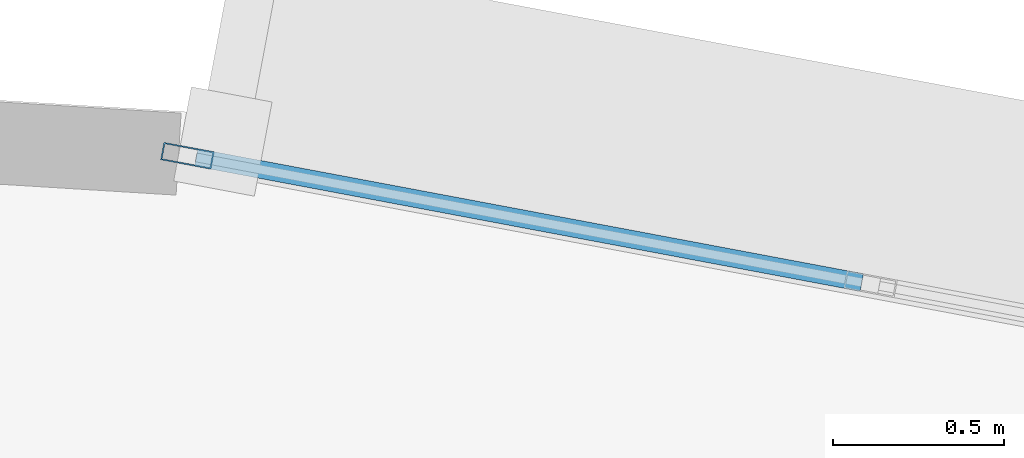
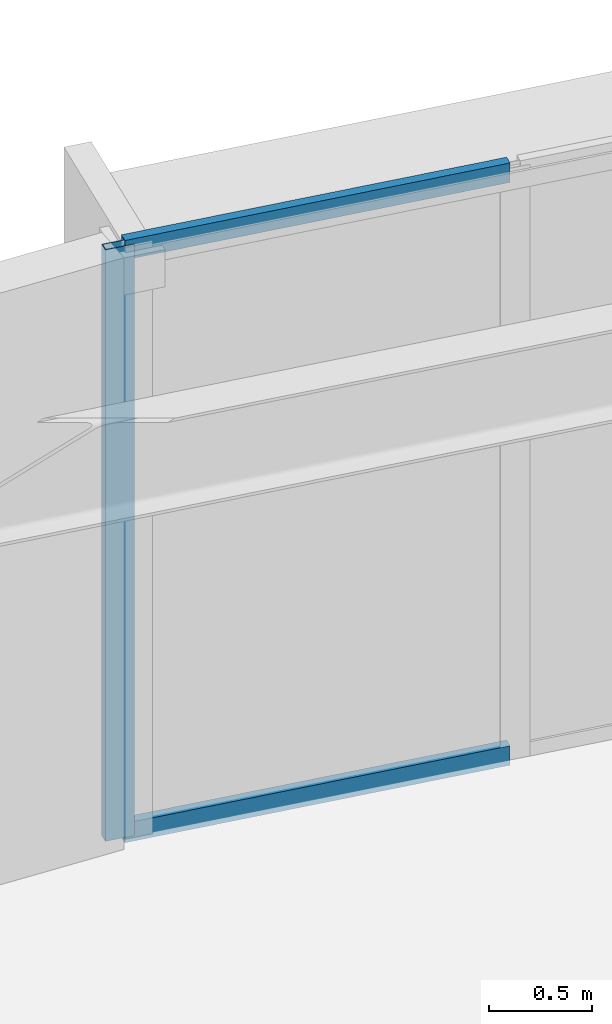
# One storey, part 4 of 18: 3 members, 1 element without a shape of its own.
"""IFC4 building model written with IfcOpenShell, lengths in metres."""

from ifc_helpers import new_model, si_unit, direction, frame, origin, origin_2d, place, context, subcontext, project, spatial, hollow_rectangle, extrude, source, transform, mapped, material, layer, layer_set, material_profile, profile_set, type_object, element, aggregate, save


model = new_model("IFC4")

# Units and contexts
model_context = context("Model", 3, precision=1e-05, world=origin(), true_north=direction((0.0, 1.0)))
body_context = subcontext(model_context, "Body", "Model", "MODEL_VIEW")
ifc_project = project(units=[si_unit("LENGTHUNIT", "METRE"), si_unit("AREAUNIT", "SQUARE_METRE"), si_unit("VOLUMEUNIT", "CUBIC_METRE"), si_unit("PLANEANGLEUNIT", "RADIAN"), si_unit("MASSUNIT", "GRAM", prefix="KILO")], contexts=[model_context])

# Site, building, storey
site_placement = place(None, origin())
site = spatial("IfcSite", under=ifc_project, at=site_placement, CompositionType="ELEMENT")
building_placement = place(site_placement, origin())
building = spatial("IfcBuilding", under=site, at=building_placement, Name="Linh Dai School and Residence Tower", CompositionType="ELEMENT")
storey_placement = place(building_placement, frame((0.0, 0.0, 167.39990234375)))
storey = spatial("IfcBuildingStorey", under=building, at=storey_placement, Name="L40", CompositionType="ELEMENT", Elevation=167.39990234375)

# Curtain wall, members
ifc_material_1 = material(Name="Aluminium Anodised Curtain Wall", Category="aluminium")
ifc_layer = layer(ifc_material_1, 0.14990234375)
ifc_layer_set = layer_set([ifc_layer], Name="Aluminium Anodised Curtain Wall")
curtain_wall_type = type_object("IfcCurtainWallType", Name="CW-SYS-4", PredefinedType="USERDEFINED", material=ifc_layer_set)
curtain_wall_placement = place(storey_placement, origin())
curtain_wall = element("IfcCurtainWall", 1, at=curtain_wall_placement, inside=storey, type_object=curtain_wall_type, Name="L40 CW4 Curtain Wall 09", ObjectType="RIBBON CURTAIN WALL", PredefinedType="USERDEFINED")
ifc_material_2 = material(Name="Aluminium Alloy 6063-T6", Category="aluminium")
ifc_material_profile_1 = material_profile(ifc_material_2, hollow_rectangle(XDim=0.052001953125, YDim=0.14990234375, WallThickness=0.00390625, at=origin_2d()), Name="RHS 150x52x4")
ifc_profile_set_1 = profile_set([ifc_material_profile_1], Name="Aluminium Alloy 6063-T6")
member_type_1 = type_object("IfcMemberType", Name="CW-SYS-4-MUL", PredefinedType="MULLION", material=ifc_profile_set_1)
shared_shape_1 = source(origin(), body_context, "Body", "SweptSolid", [
    extrude(hollow_rectangle(XDim=0.052001953125, YDim=0.14990234375, WallThickness=0.00390625, at=origin_2d()), origin(), (0.0, 0.0, 1.0), 3.5),
])
member_1_placement = place(storey_placement, frame((40.17138671875, 47.444580078125, 0.0), z_axis=(0.0, 0.0, 1.0), x_axis=(0.184762540184, 0.982783192645, 0.0)))
member_1 = element("IfcMember", 2, at=member_1_placement, type_object=member_type_1, Name="CW4 mullion 1", PredefinedType="MULLION", context=body_context, shape_type="MappedRepresentation", body=[
    mapped(shared_shape_1, transform((0.0, 0.0, 0.0), x_axis=(1.0, 0.0, 0.0), y_axis=(0.0, 1.0, 0.0), z_axis=(0.0, 0.0, 1.0), scale=1.0)),
])
ifc_material_profile_2 = material_profile(ifc_material_2, hollow_rectangle(XDim=0.052001953125, YDim=0.114990234375, WallThickness=0.00390625, at=origin_2d()), Name="RHS 115x52x4")
ifc_profile_set_2 = profile_set([ifc_material_profile_2], Name="Aluminium Alloy 6063-T6")
member_type_2 = type_object("IfcMemberType", Name="CW-SYS-4-TRN", PredefinedType="USERDEFINED", material=ifc_profile_set_2)
shared_shape_2 = source(origin(), body_context, "Body", "SweptSolid", [
    extrude(hollow_rectangle(XDim=0.052001953125, YDim=0.114990234375, WallThickness=0.00390625, at=origin_2d()), origin(), (0.0, 0.0, 1.0), 1.979248046875),
])
member_2_placement = place(storey_placement, frame((40.19677734375, 47.43994140625, 0.026123046875), z_axis=(0.982778495778, -0.184787521862, 0.0), x_axis=(0.184787521862, 0.982778495778, 0.0)))
member_2 = element("IfcMember", 3, at=member_2_placement, type_object=member_type_2, Name="CW4 transom 1.1", ObjectType="TRANSOM", PredefinedType="USERDEFINED", context=body_context, shape_type="MappedRepresentation", body=[
    mapped(shared_shape_2, transform((0.0, 0.0, 0.0), x_axis=(1.0, 0.0, 0.0), y_axis=(0.0, 1.0, 0.0), z_axis=(0.0, 0.0, 1.0), scale=1.0)),
])
member_3_placement = place(storey_placement, frame((40.19677734375, 47.43994140625, 3.47412109375), z_axis=(0.982778495778, -0.184787521862, 0.0), x_axis=(0.184787521862, 0.982778495778, 0.0)))
member_3 = element("IfcMember", 4, at=member_3_placement, type_object=member_type_2, Name="CW4 transom 1.2", ObjectType="TRANSOM", PredefinedType="USERDEFINED", context=body_context, shape_type="MappedRepresentation", body=[
    mapped(shared_shape_2, transform((0.0, 0.0, 0.0), x_axis=(1.0, 0.0, 0.0), y_axis=(0.0, 1.0, 0.0), z_axis=(0.0, 0.0, 1.0), scale=1.0)),
])
aggregate(curtain_wall, [member_1, member_2, member_3])

save(model, "model.ifc")
